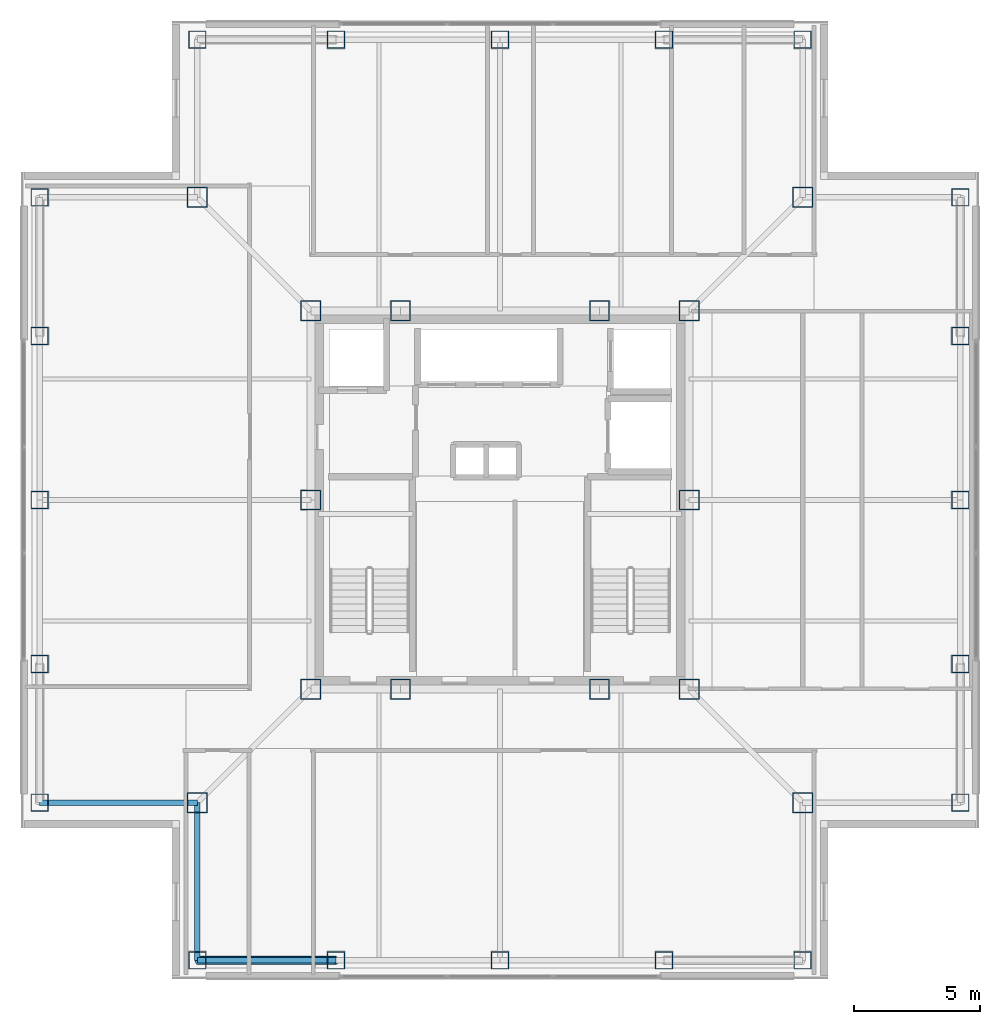
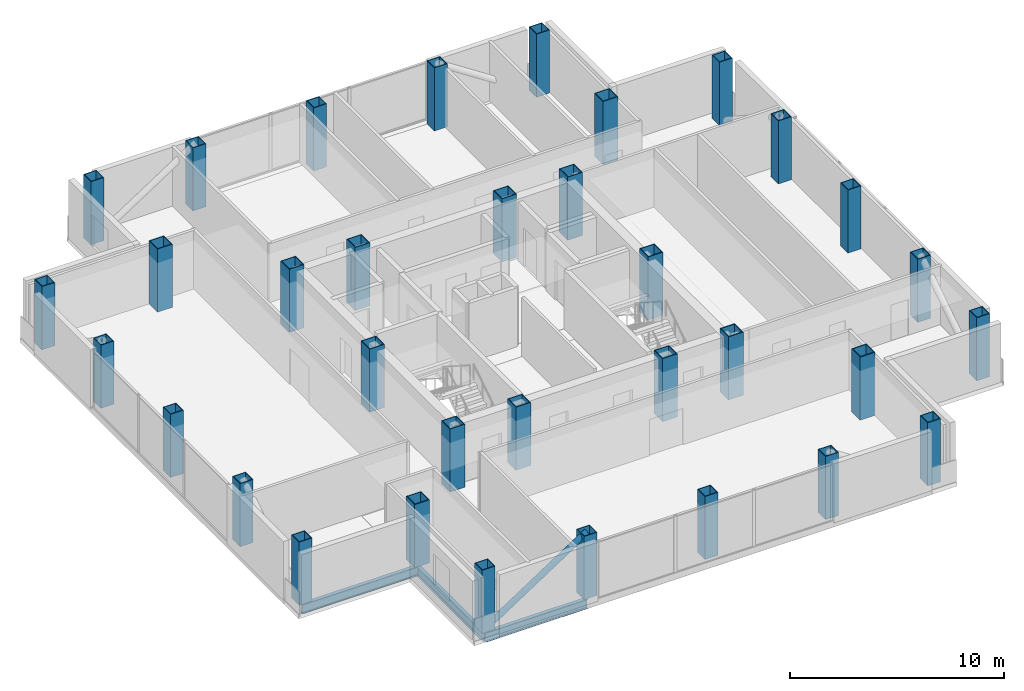
# One storey, part 1 of 16: 34 columns, 3 beams, 1 member.
"""IFC4 building model written with IfcOpenShell, lengths in metres."""

from ifc_helpers import new_model, si_unit, direction, frame, origin, origin_2d, place, context, subcontext, project, spatial, hollow_rectangle, hollow_circle, i_section, extrude, material, material_profile, profile_set, type_object, element, save


model = new_model("IFC4")

# Units and contexts
model_context = context("Model", 3, precision=1e-05, world=origin(), true_north=direction((0.0, 1.0)))
body_context = subcontext(model_context, "Body", "Model", "MODEL_VIEW")
ifc_project = project(units=[si_unit("LENGTHUNIT", "METRE"), si_unit("AREAUNIT", "SQUARE_METRE"), si_unit("VOLUMEUNIT", "CUBIC_METRE"), si_unit("PLANEANGLEUNIT", "RADIAN"), si_unit("MASSUNIT", "GRAM", prefix="KILO")], contexts=[model_context])

# Site, building, storey
site_placement = place(None, origin())
site = spatial("IfcSite", under=ifc_project, at=site_placement, CompositionType="ELEMENT")
building_placement = place(site_placement, origin())
building = spatial("IfcBuilding", under=site, at=building_placement, Name="Trevonay Congress Spire", CompositionType="ELEMENT")
storey_placement = place(building_placement, frame((0.0, 0.0, 246.800048828125)))
storey = spatial("IfcBuildingStorey", under=building, at=storey_placement, Name="L64", CompositionType="ELEMENT", Elevation=246.800048828125)

# Columns
ifc_material_1 = material(Name="Steel ASTM A572 Grade 50", Category="steel")
ifc_material_profile_1 = material_profile(ifc_material_1, hollow_rectangle(XDim=0.800048828125, YDim=0.800048828125, WallThickness=0.0400390625, at=origin_2d()), Name="BOX 800x800x40")
ifc_profile_set_1 = profile_set([ifc_material_profile_1], Name="Steel ASTM A572 Grade 50")
column_type_1 = type_object("IfcColumnType", Name="COL-CORE-BOX800", PredefinedType="COLUMN", material=ifc_profile_set_1)
for number, where, z_axis, x_axis, name in (
    (1, (-7.5, -7.5, 0.0), (0.0, 0.0, 1.0), (1.0, 0.0, 0.0), "L64 column C05 at CC-SW"),
    (2, (-3.949951171875, -7.5, 0.0), (0.0, 0.0, 1.0), (1.0, 0.0, 0.0), "L64 column C05 at CC-SMW"),
    (3, (3.949951171875, -7.5, 0.0), (0.0, 0.0, 1.0), (1.0, 0.0, 0.0), "L64 column C05 at CC-SME"),
    (4, (7.5, -7.5, 0.0), (0.0, 0.0, 1.0), (1.0, 0.0, 0.0), "L64 column C05 at CC-SE"),
    (5, (7.5, 0.0, 0.0), (0.0, 0.0, 1.0), (1.0, 0.0, 0.0), "L64 column C05 at CC-E"),
    (6, (7.5, 7.5, 0.0), (0.0, 0.0, 1.0), (1.0, 0.0, 0.0), "L64 column C05 at CC-NE"),
    (7, (3.949951171875, 7.5, 0.0), (0.0, 0.0, 1.0), (1.0, 0.0, 0.0), "L64 column C05 at CC-NME"),
    (8, (-3.949951171875, 7.5, 0.0), (0.0, 0.0, 1.0), (1.0, 0.0, 0.0), "L64 column C05 at CC-NMW"),
    (9, (-7.5, 7.5, 0.0), (0.0, 0.0, 1.0), (1.0, 0.0, 0.0), "L64 column C05 at CC-NW"),
    (10, (-7.5, 0.0, 0.0), (0.0, 0.0, 1.0), (1.0, 0.0, 0.0), "L64 column C05 at CC-W"),
):
    element("IfcColumn", number, at=place(storey_placement, frame(where, z_axis=z_axis, x_axis=x_axis)), inside=storey, type_object=column_type_1, Name=name, PredefinedType="COLUMN", context=body_context, shape_type="SweptSolid", body=[
        extrude(hollow_rectangle(XDim=0.800048828125, YDim=0.800048828125, WallThickness=0.0400390625, at=origin_2d()), origin(), (0.0, 0.0, 1.0), 3.599853515625),
    ])
ifc_material_profile_2 = material_profile(ifc_material_1, hollow_rectangle(XDim=0.699951171875, YDim=0.699951171875, WallThickness=0.034912109375, at=origin_2d()), Name="BOX 700x700x35")
ifc_profile_set_2 = profile_set([ifc_material_profile_2], Name="Steel ASTM A572 Grade 50")
column_type_2 = type_object("IfcColumnType", Name="COL-TUBE-BOX700", PredefinedType="COLUMN", material=ifc_profile_set_2)
for number, where, z_axis, x_axis, name in (
    (11, (-12.0, -18.25, 0.0), (0.0, 0.0, 1.0), (1.0, 0.0, 0.0), "L64 column C17 at TS-1"),
    (12, (-12.0, 18.25, 0.0), (0.0, 0.0, 1.0), (1.0, 0.0, 0.0), "L64 column C17 at TN-1"),
    (13, (-18.25, -12.0, 0.0), (0.0, 0.0, 1.0), (1.0, 0.0, 0.0), "L64 column C17 at TW-1"),
    (14, (18.25, -12.0, 0.0), (0.0, 0.0, 1.0), (1.0, 0.0, 0.0), "L64 column C17 at TE-1"),
    (15, (-6.5, -18.25, 0.0), (0.0, 0.0, 1.0), (1.0, 0.0, 0.0), "L64 column C17 at TS-2"),
    (16, (-6.5, 18.25, 0.0), (0.0, 0.0, 1.0), (1.0, 0.0, 0.0), "L64 column C17 at TN-2"),
    (17, (-18.25, -6.5, 0.0), (0.0, 0.0, 1.0), (1.0, 0.0, 0.0), "L64 column C17 at TW-2"),
    (18, (18.25, -6.5, 0.0), (0.0, 0.0, 1.0), (1.0, 0.0, 0.0), "L64 column C17 at TE-2"),
    (19, (0.0, -18.25, 0.0), (0.0, 0.0, 1.0), (1.0, 0.0, 0.0), "L64 column C17 at TS-3"),
    (20, (0.0, 18.25, 0.0), (0.0, 0.0, 1.0), (1.0, 0.0, 0.0), "L64 column C17 at TN-3"),
    (21, (-18.25, 0.0, 0.0), (0.0, 0.0, 1.0), (1.0, 0.0, 0.0), "L64 column C17 at TW-3"),
    (22, (18.25, 0.0, 0.0), (0.0, 0.0, 1.0), (1.0, 0.0, 0.0), "L64 column C17 at TE-3"),
    (23, (6.5, -18.25, 0.0), (0.0, 0.0, 1.0), (1.0, 0.0, 0.0), "L64 column C17 at TS-4"),
    (24, (6.5, 18.25, 0.0), (0.0, 0.0, 1.0), (1.0, 0.0, 0.0), "L64 column C17 at TN-4"),
    (25, (-18.25, 6.5, 0.0), (0.0, 0.0, 1.0), (1.0, 0.0, 0.0), "L64 column C17 at TW-4"),
    (26, (18.25, 6.5, 0.0), (0.0, 0.0, 1.0), (1.0, 0.0, 0.0), "L64 column C17 at TE-4"),
    (27, (12.0, -18.25, 0.0), (0.0, 0.0, 1.0), (1.0, 0.0, 0.0), "L64 column C17 at TS-5"),
    (28, (12.0, 18.25, 0.0), (0.0, 0.0, 1.0), (1.0, 0.0, 0.0), "L64 column C17 at TN-5"),
    (29, (-18.25, 12.0, 0.0), (0.0, 0.0, 1.0), (1.0, 0.0, 0.0), "L64 column C17 at TW-5"),
    (30, (18.25, 12.0, 0.0), (0.0, 0.0, 1.0), (1.0, 0.0, 0.0), "L64 column C17 at TE-5"),
):
    element("IfcColumn", number, at=place(storey_placement, frame(where, z_axis=z_axis, x_axis=x_axis)), inside=storey, type_object=column_type_2, Name=name, PredefinedType="COLUMN", context=body_context, shape_type="SweptSolid", body=[
        extrude(hollow_rectangle(XDim=0.699951171875, YDim=0.699951171875, WallThickness=0.034912109375, at=origin_2d()), origin(), (0.0, 0.0, 1.0), 3.599853515625),
    ])
ifc_material_profile_3 = material_profile(ifc_material_1, hollow_rectangle(XDim=0.800048828125, YDim=0.800048828125, WallThickness=0.0400390625, at=origin_2d()), Name="BOX 800x800x40")
ifc_profile_set_3 = profile_set([ifc_material_profile_3], Name="Steel ASTM A572 Grade 50")
column_type_3 = type_object("IfcColumnType", Name="COL-TUBE-BOX800", PredefinedType="COLUMN", material=ifc_profile_set_3)
for number, where, z_axis, x_axis, name in (
    (31, (-12.0, -12.0, 0.0), (0.0, 0.0, 1.0), (1.0, 0.0, 0.0), "L64 column C16 at NC-SW"),
    (32, (12.0, -12.0, 0.0), (0.0, 0.0, 1.0), (1.0, 0.0, 0.0), "L64 column C16 at NC-SE"),
    (33, (12.0, 12.0, 0.0), (0.0, 0.0, 1.0), (1.0, 0.0, 0.0), "L64 column C16 at NC-NE"),
    (34, (-12.0, 12.0, 0.0), (0.0, 0.0, 1.0), (1.0, 0.0, 0.0), "L64 column C16 at NC-NW"),
):
    element("IfcColumn", number, at=place(storey_placement, frame(where, z_axis=z_axis, x_axis=x_axis)), inside=storey, type_object=column_type_3, Name=name, PredefinedType="COLUMN", context=body_context, shape_type="SweptSolid", body=[
        extrude(hollow_rectangle(XDim=0.800048828125, YDim=0.800048828125, WallThickness=0.0400390625, at=origin_2d()), origin(), (0.0, 0.0, 1.0), 3.599853515625),
    ])

# Beams
ifc_material_profile_4 = material_profile(ifc_material_1, i_section(OverallWidth=0.208984375, OverallDepth=0.532958984375, WebThickness=0.01025390625, FlangeThickness=0.015625, FilletRadius=0.014892578125, at=origin_2d()), Name="W530x92")
ifc_profile_set_4 = profile_set([ifc_material_profile_4], Name="Steel ASTM A572 Grade 50")
beam_type = type_object("IfcBeamType", Name="BM-RING-W530X92", PredefinedType="BEAM", material=ifc_profile_set_4)
beam_placement = place(storey_placement, frame((-12.0, -18.25, -0.506591796875), z_axis=(1.0, 0.0, 0.0), x_axis=(0.0, 1.0, 0.0)))
element("IfcBeam", 35, at=beam_placement, inside=storey, type_object=beam_type, Name="L64 structural beam BM-L64-PS1", PredefinedType="BEAM", context=body_context, shape_type="SweptSolid", body=[
    extrude(i_section(OverallWidth=0.208984375, OverallDepth=0.532958984375, WebThickness=0.01025390625, FlangeThickness=0.015625, FilletRadius=0.014892578125, at=origin_2d()), origin(), (0.0, 0.0, 1.0), 5.5),
])
for number, where, z_axis, x_axis, name in (
    (36, (-12.0, -18.25, -0.506591796875), (0.0, 1.0, 0.0), (-1.0, 0.0, 0.0), "L64 structural beam BM-L64-N1SW"),
    (37, (-18.25, -12.0, -0.506591796875), (1.0, 0.0, 0.0), (0.0, 1.0, 0.0), "L64 structural beam BM-L64-N2SW"),
):
    element("IfcBeam", number, at=place(storey_placement, frame(where, z_axis=z_axis, x_axis=x_axis)), inside=storey, type_object=beam_type, Name=name, PredefinedType="BEAM", context=body_context, shape_type="SweptSolid", body=[
        extrude(i_section(OverallWidth=0.208984375, OverallDepth=0.532958984375, WebThickness=0.01025390625, FlangeThickness=0.015625, FilletRadius=0.014892578125, at=origin_2d()), origin(), (0.0, 0.0, 1.0), 6.25),
    ])

# Member
ifc_material_2 = material(Name="Steel ASTM A500 Grade C", Category="steel")
ifc_material_profile_5 = material_profile(ifc_material_2, hollow_circle(Radius=0.161865234375, WallThickness=0.01611328125, at=origin_2d()), Name="CHS 323.9x16")
ifc_profile_set_5 = profile_set([ifc_material_profile_5], Name="Steel ASTM A500 Grade C")
member_type = type_object("IfcMemberType", Name="MBR-TUBE-CHS324", PredefinedType="BRACE", material=ifc_profile_set_5)
member_placement = place(storey_placement, frame((-12.0, -18.25, -0.050048828125), z_axis=(0.836694709366, 0.0, 0.547669574943), x_axis=(0.0, 1.0, 0.0)))
element("IfcMember", 38, at=member_placement, inside=storey, type_object=member_type, Name="L64 perimeter braced-tube diagonal S0", PredefinedType="BRACE", context=body_context, shape_type="SweptSolid", body=[
    extrude(hollow_circle(Radius=0.161865234375, WallThickness=0.01611328125, at=origin_2d()), origin(), (0.0, 0.0, 1.0), 6.573486328125),
])

save(model, "model.ifc")
